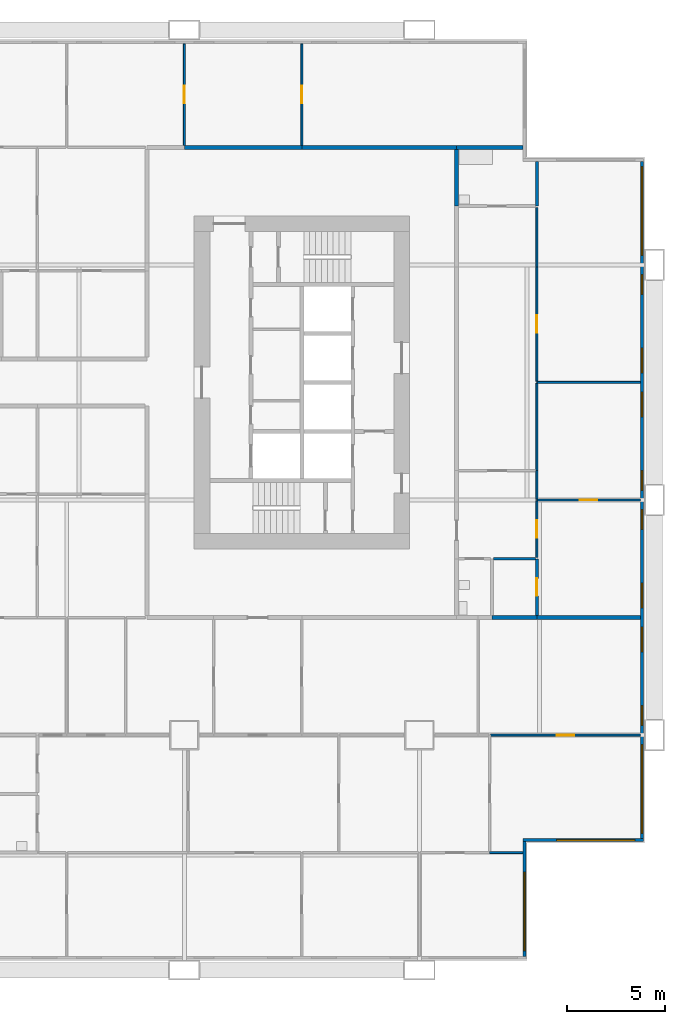
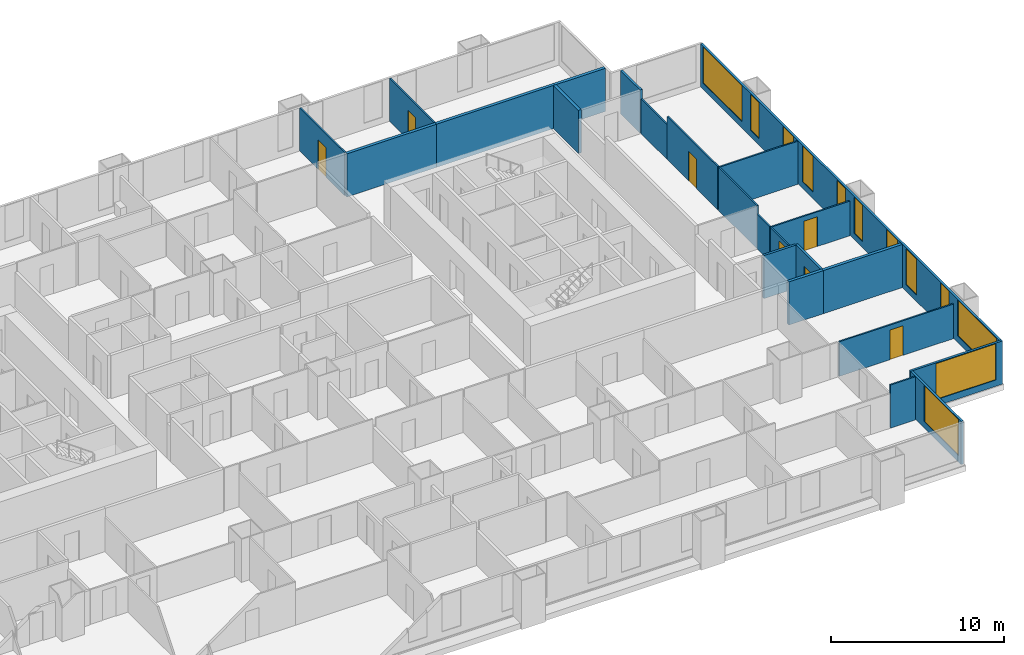
# One storey, part 11 of 14: 23 walls, 12 windows, 7 doors, 19 openings.
"""IFC4 building model written with IfcOpenShell, lengths in metres."""

import ifcopenshell
import ifcopenshell.guid

model = None  # the IFC model being written
_history = None  # IfcOwnerHistory: only IFC2X3 demands one
_inside = {}  # id of a spatial element -> (the spatial element, [elements in it])
_under = {}  # id of a project, library or spatial element -> (it, [spatial elements below it])
_declared = {}  # id of a project -> (the project, [libraries it declares])
_typed = {}  # id of a type object -> (the type object, [elements of that type])
_made_of = {}  # id of a material, layer set ... -> (it, [elements and type objects made of it])


def new_model(schema):
    """Start an empty IFC model of exactly this schema.

    Asked for "IFC4X3", IfcOpenShell would pick the latest addendum, in which some entities
    have other attributes; the version numbers below select the first issue.
    IFC2X3 requires an IfcOwnerHistory on every rooted entity: one is made here for all.
    """
    global model, _history
    if schema == "IFC4X3":
        model = ifcopenshell.file(schema_version=(4, 3, 0, 0))
    else:
        model = ifcopenshell.file(schema=schema)
    _inside.clear()
    _under.clear()
    _declared.clear()
    _typed.clear()
    _made_of.clear()
    _history = None
    if model.schema == "IFC2X3":
        org = make("IfcOrganization", Name="unknown")
        user = make(
            "IfcPersonAndOrganization",
            ThePerson=make("IfcPerson", FamilyName="unknown"),
            TheOrganization=org,
        )
        app = make(
            "IfcApplication",
            ApplicationDeveloper=org,
            Version="unknown",
            ApplicationFullName="unknown",
            ApplicationIdentifier="unknown",
        )
        _history = make(
            "IfcOwnerHistory",
            OwningUser=user,
            OwningApplication=app,
            ChangeAction="ADDED",
            CreationDate=0,
        )
    return model


def make(cls, **values):
    """One entity of the class cls with the attributes given. An attribute that is None is left unset."""
    return model.create_entity(
        cls, **{name: value for name, value in values.items() if value is not None}
    )


def rooted(cls, **values):
    """An entity with a GlobalId (a new one), such as an element, a storey or a relation."""
    return make(cls, GlobalId=ifcopenshell.guid.new(), OwnerHistory=_history, **values)


def si_unit(unit_type, name, prefix=None):
    """IfcSIUnit, for example si_unit("LENGTHUNIT", "METRE", prefix="MILLI")."""
    return make("IfcSIUnit", UnitType=unit_type, Prefix=prefix, Name=name)


def assignment(units):
    """IfcUnitAssignment: the units of a project."""
    return None if units is None else make("IfcUnitAssignment", Units=units)


def point(xyz):
    """IfcCartesianPoint."""
    return None if xyz is None else make("IfcCartesianPoint", Coordinates=xyz)


def direction(xyz):
    """IfcDirection."""
    return None if xyz is None else make("IfcDirection", DirectionRatios=xyz)


def frame(location, z_axis=None, x_axis=None):
    """IfcAxis2Placement3D, a coordinate frame: its origin and axes. An axis left out is left unset."""
    return make(
        "IfcAxis2Placement3D",
        Location=point(location),
        Axis=direction(z_axis),
        RefDirection=direction(x_axis),
    )


def frame_2d(location, x_axis=None):
    """IfcAxis2Placement2D, a coordinate frame in the plane: its origin and x axis."""
    return make(
        "IfcAxis2Placement2D", Location=point(location), RefDirection=direction(x_axis)
    )


def origin():
    """The frame at (0, 0, 0) with its axes left unset."""
    return frame((0.0, 0.0, 0.0))


def place(relative_to, where):
    """IfcLocalPlacement: puts the frame where relative to a parent placement (None: the world)."""
    return make(
        "IfcLocalPlacement", PlacementRelTo=relative_to, RelativePlacement=where
    )


def context(
    kind, dimensions, precision=None, world=None, true_north=None, identifier=None
):
    """IfcGeometricRepresentationContext, for example the 3D "Model" context."""
    return make(
        "IfcGeometricRepresentationContext",
        ContextIdentifier=identifier,
        ContextType=kind,
        CoordinateSpaceDimension=dimensions,
        Precision=precision,
        WorldCoordinateSystem=world,
        TrueNorth=true_north,
    )


def subcontext(parent, identifier, kind, view, scale=None):
    """IfcGeometricRepresentationSubContext, for example "Body" below "Model"."""
    return make(
        "IfcGeometricRepresentationSubContext",
        ContextIdentifier=identifier,
        ContextType=kind,
        ParentContext=parent,
        TargetScale=scale,
        TargetView=view,
    )


def project(units=None, contexts=None):
    """IfcProject with its units and contexts."""
    return rooted(
        "IfcProject",
        Name="project",
        RepresentationContexts=contexts,
        UnitsInContext=assignment(units),
    )


def spatial(cls, under=None, at=None, **own):
    """A site, building, storey or space (cls), placed at a placement, below another one or the project."""
    s = rooted(cls, ObjectPlacement=at, **own)
    if under is not None:
        _under.setdefault(under.id(), (under, []))[1].append(s)
    return s


def profile(cls, at=None, kind="AREA", **sizes):
    """A parametric profile (cls). Its sizes go by their IFC names, for example OverallWidth=200.0."""
    return make(cls, ProfileType=kind, Position=at, **sizes)


def rectangle(**sizes):
    """IfcRectangleProfileDef."""
    return profile("IfcRectangleProfileDef", **sizes)


def extrude(swept, where, along, depth):
    """IfcExtrudedAreaSolid: the profile swept, set in the frame where, extruded along a direction by depth."""
    return make(
        "IfcExtrudedAreaSolid",
        SweptArea=swept,
        Position=where,
        ExtrudedDirection=direction(along),
        Depth=depth,
    )


def shape(context_of_items, identifier, shape_type, items):
    """IfcShapeRepresentation: the items that make up one representation, for example the "Body"."""
    return make(
        "IfcShapeRepresentation",
        ContextOfItems=context_of_items,
        RepresentationIdentifier=identifier,
        RepresentationType=shape_type,
        Items=items,
    )


def material(Name=None, Category=None):
    """IfcMaterial."""
    return make("IfcMaterial", Name=Name, Category=Category)


def layer(
    of_material, thickness, ventilated=None, Name=None, Category=None, Priority=None
):
    """IfcMaterialLayer: one layer of a wall or slab, of a material (None: an air gap)."""
    return make(
        "IfcMaterialLayer",
        Material=of_material,
        LayerThickness=thickness,
        IsVentilated=ventilated,
        Name=Name,
        Category=Category,
        Priority=Priority,
    )


def layer_set(layers, Name=None):
    """IfcMaterialLayerSet."""
    return make("IfcMaterialLayerSet", MaterialLayers=layers, LayerSetName=Name)


def made_of(thing, what):
    """Note that an element or type object is made of a material, layer set ...; save() writes the relation."""
    if what is not None:
        _made_of.setdefault(what.id(), (what, []))[1].append(thing)
    return thing


def type_object(cls, material=None, **own):
    """A type object (cls), such as IfcWallType, which elements share."""
    return made_of(rooted(cls, **own), material)


def element(
    cls,
    number,
    at=None,
    inside=None,
    cuts=None,
    type_object=None,
    material=None,
    context=None,
    identifier="Body",
    shape_type=None,
    held_by="IfcProductDefinitionShape",
    body=None,
    shapes=None,
    **own,
):
    """One element of the class cls, such as IfcWall. Its Tag is "e" and its number.

    at: its placement. inside: the storey or other place that contains it. cuts: it is an
    opening in that element (IfcRelVoidsElement). A single representation is given by context,
    identifier, shape_type and body (its items); several are given by shapes. held_by: the class
    of the entity that holds the representations. save() writes the other relations.
    """
    e = rooted(cls, Tag="e%d" % number, ObjectPlacement=at, **own)
    if body is not None:
        shapes = [shape(context, identifier, shape_type, body)]
    if shapes is not None:
        e.Representation = make(held_by, Representations=shapes)
    if inside is not None:
        _inside.setdefault(inside.id(), (inside, []))[1].append(e)
    if cuts is not None:
        rooted(
            "IfcRelVoidsElement", RelatingBuildingElement=cuts, RelatedOpeningElement=e
        )
    if type_object is not None:
        _typed.setdefault(type_object.id(), (type_object, []))[1].append(e)
    return made_of(e, material)


def fill(opening, filler):
    """IfcRelFillsElement: the door or window that sits in an opening."""
    return rooted(
        "IfcRelFillsElement",
        RelatingOpeningElement=opening,
        RelatedBuildingElement=filler,
    )


def aggregate(whole, parts):
    """IfcRelAggregates: a whole, such as a stair, and the parts it consists of."""
    return rooted("IfcRelAggregates", RelatingObject=whole, RelatedObjects=parts)


def save(model, path):
    """Write the relations noted so far, then the file.

    IfcRelAggregates (storeys below a building ...), IfcRelContainedInSpatialStructure (elements
    in a storey), IfcRelDefinesByType, IfcRelAssociatesMaterial and IfcRelDeclares: one each for
    every whole, place, type object, material and project.
    """
    for whole, parts in _under.values():
        aggregate(whole, parts)
    for where, things in _inside.values():
        rooted(
            "IfcRelContainedInSpatialStructure",
            RelatedElements=things,
            RelatingStructure=where,
        )
    for kind, things in _typed.values():
        rooted("IfcRelDefinesByType", RelatedObjects=things, RelatingType=kind)
    for what, things in _made_of.values():
        rooted("IfcRelAssociatesMaterial", RelatedObjects=things, RelatingMaterial=what)
    for by, libraries in _declared.values():
        rooted("IfcRelDeclares", RelatingContext=by, RelatedDefinitions=libraries)
    model.write(path)


model = new_model("IFC4")

# Units and contexts
model_context = context("Model", 3, precision=1e-05, world=origin(), true_north=direction((0.0, 1.0)))
body_context = subcontext(model_context, "Body", "Model", "MODEL_VIEW")
ifc_project = project(units=[si_unit("LENGTHUNIT", "METRE"), si_unit("AREAUNIT", "SQUARE_METRE"), si_unit("VOLUMEUNIT", "CUBIC_METRE"), si_unit("PLANEANGLEUNIT", "RADIAN"), si_unit("MASSUNIT", "GRAM", prefix="KILO")], contexts=[model_context])

# Site, building, storey
site_placement = place(None, origin())
site = spatial("IfcSite", under=ifc_project, at=site_placement, CompositionType="ELEMENT")
building_placement = place(site_placement, origin())
building = spatial("IfcBuilding", under=site, at=building_placement, Name="Kitamizu Gate Tower and Museum", CompositionType="ELEMENT")
storey_placement = place(building_placement, frame((0.0, 0.0, 64.5)))
storey = spatial("IfcBuildingStorey", under=building, at=storey_placement, Name="L15", CompositionType="ELEMENT", Elevation=64.5)

# Wall
ifc_material_1 = material(Name="Gypsum board on galvanised stud")
ifc_layer_1 = layer(ifc_material_1, 0.10009765625)
ifc_layer_set_1 = layer_set([ifc_layer_1], Name="Gypsum board on galvanised stud")
wall_type_1 = type_object("IfcWallType", Name="Partition 100 NOT RATED", PredefinedType="PARTITIONING", material=ifc_layer_set_1)
wall_1_placement = place(storey_placement, frame((65.280029296875, 6.0, 0.0), z_axis=(0.0, 0.0, 1.0), x_axis=(-1.0, 0.0, 0.0)))
element("IfcWall", 1, at=wall_1_placement, inside=storey, type_object=wall_type_1, Name="Partition L15-081", PredefinedType="PARTITIONING", context=body_context, shape_type="SweptSolid", body=[
    extrude(rectangle(XDim=1.695068359375, YDim=0.10009765625, at=frame_2d((0.84765625, 0.0))), origin(), (0.0, 0.0, 1.0), 3.050048828125),
])

# Wall, opening, door
wall_2_placement = place(storey_placement, frame((71.280029296875, 12.0, 0.0), z_axis=(0.0, 0.0, 1.0), x_axis=(-1.0, 0.0, 0.0)))
wall_2 = element("IfcWall", 2, at=wall_2_placement, inside=storey, type_object=wall_type_1, Name="Partition L15-098", PredefinedType="PARTITIONING", context=body_context, shape_type="SweptSolid", body=[
    extrude(rectangle(XDim=7.64501953125, YDim=0.10009765625, at=frame_2d((3.822509765625, 0.0))), origin(), (0.0, 0.0, 1.0), 2.449951171875),
])
opening_1_placement = place(wall_2_placement, frame((3.37255859375, 0.0, 0.0)))
opening_1 = element("IfcOpeningElement", 3, at=opening_1_placement, cuts=wall_2, Name="Opening L15-040", PredefinedType="OPENING", context=body_context, shape_type="SweptSolid", body=[
    extrude(rectangle(XDim=0.89990234375, YDim=2.10009765625, at=frame_2d((0.449951171875, 1.050048828125))), frame((0.0, 0.06005859375, 0.0), z_axis=(0.0, -1.0, 0.0), x_axis=(1.0, 0.0, 0.0)), (0.0, 0.0, 1.0), 0.1201171875),
])
ifc_material_2 = material(Name="Timber door set", Category="wood")
door_type_1 = type_object("IfcDoorType", Name="Room door 900", OperationType="NOTDEFINED", PredefinedType="DOOR", material=ifc_material_2)
door_1_placement = place(opening_1_placement, origin())
door_1 = element("IfcDoor", 4, at=door_1_placement, inside=storey, type_object=door_type_1, Name="Door L15-040", OperationType="SINGLE_SWING_LEFT", OverallHeight=2.10009765625, OverallWidth=0.89990234375, PredefinedType="DOOR", context=body_context, shape_type="SweptSolid", body=[
    extrude(rectangle(XDim=0.89990234375, YDim=2.10009765625, at=frame_2d((0.449951171875, 1.050048828125))), frame((0.0, 0.02490234375, 0.0), z_axis=(0.0, -1.0, 0.0), x_axis=(1.0, 0.0, 0.0)), (0.0, 0.0, 1.0), 0.050048828125),
])
fill(opening_1, door_1)

wall_3_placement = place(storey_placement, frame((48.0, 42.10009765625, 0.0), z_axis=(0.0, 0.0, 1.0), x_axis=(0.0, 1.0, 0.0)))
wall_3 = element("IfcWall", 5, at=wall_3_placement, inside=storey, type_object=wall_type_1, Name="Partition L15-169", PredefinedType="PARTITIONING", context=body_context, shape_type="SweptSolid", body=[
    extrude(rectangle(XDim=5.179931640625, YDim=0.10009765625, at=frame_2d((2.58984375, 0.0))), origin(), (0.0, 0.0, 1.0), 3.050048828125),
])
opening_2_placement = place(wall_3_placement, frame((2.139892578125, 0.0, 0.0)))
opening_2 = element("IfcOpeningElement", 6, at=opening_2_placement, cuts=wall_3, Name="Opening L15-073", PredefinedType="OPENING", context=body_context, shape_type="SweptSolid", body=[
    extrude(rectangle(XDim=0.89990234375, YDim=2.10009765625, at=frame_2d((0.449951171875, 1.050048828125))), frame((0.0, 0.06005859375, 0.0), z_axis=(0.0, -1.0, 0.0), x_axis=(1.0, 0.0, 0.0)), (0.0, 0.0, 1.0), 0.1201171875),
])
door_2_placement = place(opening_2_placement, origin())
door_2 = element("IfcDoor", 7, at=door_2_placement, inside=storey, type_object=door_type_1, Name="Door L15-073", OperationType="SINGLE_SWING_RIGHT", OverallHeight=2.10009765625, OverallWidth=0.89990234375, PredefinedType="DOOR", context=body_context, shape_type="SweptSolid", body=[
    extrude(rectangle(XDim=0.89990234375, YDim=2.10009765625, at=frame_2d((0.449951171875, 1.050048828125))), frame((0.0, 0.02490234375, 0.0), z_axis=(0.0, -1.0, 0.0), x_axis=(1.0, 0.0, 0.0)), (0.0, 0.0, 1.0), 0.050048828125),
])
fill(opening_2, door_2)

wall_4_placement = place(storey_placement, frame((54.0, 42.10009765625, 0.0), z_axis=(0.0, 0.0, 1.0), x_axis=(0.0, 1.0, 0.0)))
wall_4 = element("IfcWall", 8, at=wall_4_placement, inside=storey, type_object=wall_type_1, Name="Partition L15-172", PredefinedType="PARTITIONING", context=body_context, shape_type="SweptSolid", body=[
    extrude(rectangle(XDim=5.179931640625, YDim=0.10009765625, at=frame_2d((2.58984375, 0.0))), origin(), (0.0, 0.0, 1.0), 3.050048828125),
])
opening_3_placement = place(wall_4_placement, frame((2.139892578125, 0.0, 0.0)))
opening_3 = element("IfcOpeningElement", 9, at=opening_3_placement, cuts=wall_4, Name="Opening L15-074", PredefinedType="OPENING", context=body_context, shape_type="SweptSolid", body=[
    extrude(rectangle(XDim=0.89990234375, YDim=2.10009765625, at=frame_2d((0.449951171875, 1.050048828125))), frame((0.0, 0.06005859375, 0.0), z_axis=(0.0, -1.0, 0.0), x_axis=(1.0, 0.0, 0.0)), (0.0, 0.0, 1.0), 0.1201171875),
])
door_3_placement = place(opening_3_placement, origin())
door_3 = element("IfcDoor", 10, at=door_3_placement, inside=storey, type_object=door_type_1, Name="Door L15-074", OperationType="SINGLE_SWING_LEFT", OverallHeight=2.10009765625, OverallWidth=0.89990234375, PredefinedType="DOOR", context=body_context, shape_type="SweptSolid", body=[
    extrude(rectangle(XDim=0.89990234375, YDim=2.10009765625, at=frame_2d((0.449951171875, 1.050048828125))), frame((0.0, 0.02490234375, 0.0), z_axis=(0.0, -1.0, 0.0), x_axis=(1.0, 0.0, 0.0)), (0.0, 0.0, 1.0), 0.050048828125),
])
fill(opening_3, door_3)

wall_5_placement = place(storey_placement, frame((71.280029296875, 24.0, 0.0), z_axis=(0.0, 0.0, 1.0), x_axis=(-1.0, 0.0, 0.0)))
wall_5 = element("IfcWall", 11, at=wall_5_placement, inside=storey, type_object=wall_type_1, Name="Partition L15-207", PredefinedType="PARTITIONING", context=body_context, shape_type="SweptSolid", body=[
    extrude(rectangle(XDim=5.280029296875, YDim=0.10009765625, at=frame_2d((2.64013671875, 0.0))), origin(), (0.0, 0.0, 1.0), 2.449951171875),
])
opening_4_placement = place(wall_5_placement, frame((2.18994140625, 0.0, 0.0)))
opening_4 = element("IfcOpeningElement", 12, at=opening_4_placement, cuts=wall_5, Name="Opening L15-081", PredefinedType="OPENING", context=body_context, shape_type="SweptSolid", body=[
    extrude(rectangle(XDim=0.89990234375, YDim=2.10009765625, at=frame_2d((0.449951171875, 1.050048828125))), frame((0.0, 0.06005859375, 0.0), z_axis=(0.0, -1.0, 0.0), x_axis=(1.0, 0.0, 0.0)), (0.0, 0.0, 1.0), 0.1201171875),
])
door_4_placement = place(opening_4_placement, origin())
door_4 = element("IfcDoor", 13, at=door_4_placement, inside=storey, type_object=door_type_1, Name="Door L15-081", OperationType="SINGLE_SWING_RIGHT", OverallHeight=2.10009765625, OverallWidth=0.89990234375, PredefinedType="DOOR", context=body_context, shape_type="SweptSolid", body=[
    extrude(rectangle(XDim=0.89990234375, YDim=2.10009765625, at=frame_2d((0.449951171875, 1.050048828125))), frame((0.0, 0.02490234375, 0.0), z_axis=(0.0, -1.0, 0.0), x_axis=(1.0, 0.0, 0.0)), (0.0, 0.0, 1.0), 0.050048828125),
])
fill(opening_4, door_4)

wall_6_placement = place(storey_placement, frame((66.0, 23.949951171875, 0.0), z_axis=(0.0, 0.0, 1.0), x_axis=(0.0, -1.0, 0.0)))
wall_6 = element("IfcWall", 14, at=wall_6_placement, inside=storey, type_object=wall_type_1, Name="Partition L15-209", PredefinedType="PARTITIONING", context=body_context, shape_type="SweptSolid", body=[
    extrude(rectangle(XDim=2.875, YDim=0.10009765625, at=frame_2d((1.4375, 0.0))), origin(), (0.0, 0.0, 1.0), 2.449951171875),
])
opening_5_placement = place(wall_6_placement, frame((0.987548828125, 0.0, 0.0)))
opening_5 = element("IfcOpeningElement", 15, at=opening_5_placement, cuts=wall_6, Name="Opening L15-078", PredefinedType="OPENING", context=body_context, shape_type="SweptSolid", body=[
    extrude(rectangle(XDim=0.89990234375, YDim=2.10009765625, at=frame_2d((0.449951171875, 1.050048828125))), frame((0.0, 0.06005859375, 0.0), z_axis=(0.0, -1.0, 0.0), x_axis=(1.0, 0.0, 0.0)), (0.0, 0.0, 1.0), 0.1201171875),
])
door_5_placement = place(opening_5_placement, origin())
door_5 = element("IfcDoor", 16, at=door_5_placement, inside=storey, type_object=door_type_1, Name="Door L15-078", OperationType="SINGLE_SWING_RIGHT", OverallHeight=2.10009765625, OverallWidth=0.89990234375, PredefinedType="DOOR", context=body_context, shape_type="SweptSolid", body=[
    extrude(rectangle(XDim=0.89990234375, YDim=2.10009765625, at=frame_2d((0.449951171875, 1.050048828125))), frame((0.0, 0.02490234375, 0.0), z_axis=(0.0, -1.0, 0.0), x_axis=(1.0, 0.0, 0.0)), (0.0, 0.0, 1.0), 0.050048828125),
])
fill(opening_5, door_5)

# Walls
wall_7_placement = place(storey_placement, frame((71.280029296875, 30.0, 0.0), z_axis=(0.0, 0.0, 1.0), x_axis=(-1.0, 0.0, 0.0)))
element("IfcWall", 17, at=wall_7_placement, inside=storey, type_object=wall_type_1, Name="Partition L15-210", PredefinedType="PARTITIONING", context=body_context, shape_type="SweptSolid", body=[
    extrude(rectangle(XDim=5.280029296875, YDim=0.10009765625, at=frame_2d((2.64013671875, 0.0))), origin(), (0.0, 0.0, 1.0), 3.050048828125),
])
wall_8_placement = place(storey_placement, frame((66.0, 25.5, 0.0), z_axis=(0.0, 0.0, 1.0), x_axis=(0.0, -1.0, 0.0)))
element("IfcWall", 18, at=wall_8_placement, inside=storey, type_object=wall_type_1, Name="Partition L15-211", PredefinedType="PARTITIONING", context=body_context, shape_type="SweptSolid", body=[
    extrude(rectangle(XDim=1.449951171875, YDim=0.10009765625, at=frame_2d((0.72509765625, 0.0))), origin(), (0.0, 0.0, 1.0), 2.449951171875),
])
wall_9_placement = place(storey_placement, frame((66.0, 29.949951171875, 0.0), z_axis=(0.0, 0.0, 1.0), x_axis=(0.0, -1.0, 0.0)))
element("IfcWall", 19, at=wall_9_placement, inside=storey, type_object=wall_type_1, Name="Partition L15-212", PredefinedType="PARTITIONING", context=body_context, shape_type="SweptSolid", body=[
    extrude(rectangle(XDim=4.449951171875, YDim=0.10009765625, at=frame_2d((2.22509765625, 0.0))), origin(), (0.0, 0.0, 1.0), 3.050048828125),
])
wall_10_placement = place(storey_placement, frame((66.0, 38.925048828125, 0.0), z_axis=(0.0, 0.0, 1.0), x_axis=(0.0, -1.0, 0.0)))
element("IfcWall", 20, at=wall_10_placement, inside=storey, type_object=wall_type_1, Name="Partition L15-213", PredefinedType="PARTITIONING", context=body_context, shape_type="SweptSolid", body=[
    extrude(rectangle(XDim=3.025146484375, YDim=0.10009765625, at=frame_2d((1.5126953125, 0.0))), origin(), (0.0, 0.0, 1.0), 2.449951171875),
])

# Wall, opening, door
wall_11_placement = place(storey_placement, frame((66.0, 35.89990234375, 0.0), z_axis=(0.0, 0.0, 1.0), x_axis=(0.0, -1.0, 0.0)))
wall_11 = element("IfcWall", 21, at=wall_11_placement, inside=storey, type_object=wall_type_1, Name="Partition L15-214", PredefinedType="PARTITIONING", context=body_context, shape_type="SweptSolid", body=[
    extrude(rectangle(XDim=5.849853515625, YDim=0.10009765625, at=frame_2d((2.9248046875, 0.0))), origin(), (0.0, 0.0, 1.0), 3.050048828125),
])
opening_6_placement = place(wall_11_placement, frame((2.47509765625, 0.0, 0.0)))
opening_6 = element("IfcOpeningElement", 22, at=opening_6_placement, cuts=wall_11, Name="Opening L15-080", PredefinedType="OPENING", context=body_context, shape_type="SweptSolid", body=[
    extrude(rectangle(XDim=0.89990234375, YDim=2.10009765625, at=frame_2d((0.449951171875, 1.050048828125))), frame((0.0, 0.06005859375, 0.0), z_axis=(0.0, -1.0, 0.0), x_axis=(1.0, 0.0, 0.0)), (0.0, 0.0, 1.0), 0.1201171875),
])
door_6_placement = place(opening_6_placement, origin())
door_6 = element("IfcDoor", 23, at=door_6_placement, inside=storey, type_object=door_type_1, Name="Door L15-080", OperationType="SINGLE_SWING_LEFT", OverallHeight=2.10009765625, OverallWidth=0.89990234375, PredefinedType="DOOR", context=body_context, shape_type="SweptSolid", body=[
    extrude(rectangle(XDim=0.89990234375, YDim=2.10009765625, at=frame_2d((0.449951171875, 1.050048828125))), frame((0.0, 0.02490234375, 0.0), z_axis=(0.0, -1.0, 0.0), x_axis=(1.0, 0.0, 0.0)), (0.0, 0.0, 1.0), 0.050048828125),
])
fill(opening_6, door_6)

ifc_material_3 = material(Name="Gypsum board on galvanised stud")
ifc_layer_2 = layer(ifc_material_3, 0.14990234375)
ifc_layer_set_2 = layer_set([ifc_layer_2], Name="Gypsum board on galvanised stud")
wall_type_2 = type_object("IfcWallType", Name="Partition 150", PredefinedType="PARTITIONING", material=ifc_layer_set_2)
wall_12_placement = place(storey_placement, frame((66.0, 21.0, 0.0), z_axis=(0.0, 0.0, 1.0), x_axis=(0.0, -1.0, 0.0)))
wall_12 = element("IfcWall", 24, at=wall_12_placement, inside=storey, type_object=wall_type_2, Name="Partition L15-208", PredefinedType="PARTITIONING", context=body_context, shape_type="SweptSolid", body=[
    extrude(rectangle(XDim=2.89990234375, YDim=0.14990234375, at=frame_2d((1.449951171875, 0.0))), origin(), (0.0, 0.0, 1.0), 3.050048828125),
])
opening_7_placement = place(wall_12_placement, frame((1.0, 0.0, 0.0)))
opening_7 = element("IfcOpeningElement", 25, at=opening_7_placement, cuts=wall_12, Name="Opening L15-083", PredefinedType="OPENING", context=body_context, shape_type="SweptSolid", body=[
    extrude(rectangle(XDim=0.89990234375, YDim=2.10009765625, at=frame_2d((0.449951171875, 1.050048828125))), frame((0.0, 0.0849609375, 0.0), z_axis=(0.0, -1.0, 0.0), x_axis=(1.0, 0.0, 0.0)), (0.0, 0.0, 1.0), 0.169921875),
])
ifc_material_4 = material(Name="Timber door set", Category="wood")
door_type_2 = type_object("IfcDoorType", Name="Bathroom door 900", OperationType="NOTDEFINED", PredefinedType="DOOR", material=ifc_material_4)
door_7_placement = place(opening_7_placement, frame((0.89990234375, 0.0, 0.0), x_axis=(-1.0, 0.0, 0.0)))
door_7 = element("IfcDoor", 26, at=door_7_placement, inside=storey, type_object=door_type_2, Name="Bathroom door L15-083", OperationType="SINGLE_SWING_LEFT", OverallHeight=2.10009765625, OverallWidth=0.89990234375, PredefinedType="DOOR", context=body_context, shape_type="SweptSolid", body=[
    extrude(rectangle(XDim=0.89990234375, YDim=2.10009765625, at=frame_2d((0.449951171875, 1.050048828125))), frame((0.0, 0.02490234375, 0.0), z_axis=(0.0, -1.0, 0.0), x_axis=(1.0, 0.0, 0.0)), (0.0, 0.0, 1.0), 0.050048828125),
])
fill(opening_7, door_7)

# Walls
wall_13_placement = place(storey_placement, frame((66.0, 41.280029296875, 0.0), z_axis=(0.0, 0.0, 1.0), x_axis=(0.0, -1.0, 0.0)))
element("IfcWall", 27, at=wall_13_placement, inside=storey, type_object=wall_type_2, Name="Partition L15-215", PredefinedType="PARTITIONING", context=body_context, shape_type="SweptSolid", body=[
    extrude(rectangle(XDim=2.280029296875, YDim=0.14990234375, at=frame_2d((1.14013671875, 0.0))), origin(), (0.0, 0.0, 1.0), 3.050048828125),
])
wall_14_placement = place(storey_placement, frame((65.925048828125, 21.0, 0.0), z_axis=(0.0, 0.0, 1.0), x_axis=(-1.0, 0.0, 0.0)))
element("IfcWall", 28, at=wall_14_placement, inside=storey, type_object=wall_type_2, Name="Partition L15-219", PredefinedType="PARTITIONING", context=body_context, shape_type="SweptSolid", body=[
    extrude(rectangle(XDim=2.150146484375, YDim=0.14990234375, at=frame_2d((1.0751953125, 0.0))), origin(), (0.0, 0.0, 1.0), 3.050048828125),
])
ifc_material_5 = material(Name="Gypsum board on galvanised stud")
ifc_layer_3 = layer(ifc_material_5, 0.199951171875)
ifc_layer_set_3 = layer_set([ifc_layer_3], Name="Gypsum board on galvanised stud")
wall_type_3 = type_object("IfcWallType", Name="Partition 200", PredefinedType="PARTITIONING", material=ifc_layer_set_3)
wall_15_placement = place(storey_placement, frame((71.280029296875, 18.0, 0.0), z_axis=(0.0, 0.0, 1.0), x_axis=(-1.0, 0.0, 0.0)))
element("IfcWall", 29, at=wall_15_placement, inside=storey, type_object=wall_type_3, Name="Partition L15-112", PredefinedType="PARTITIONING", context=body_context, shape_type="SweptSolid", body=[
    extrude(rectangle(XDim=5.280029296875, YDim=0.199951171875, at=frame_2d((2.64013671875, 0.0))), origin(), (0.0, 0.0, 1.0), 3.050048828125),
])
wall_16_placement = place(storey_placement, frame((66.0, 18.0, 0.0), z_axis=(0.0, 0.0, 1.0), x_axis=(-1.0, 0.0, 0.0)))
element("IfcWall", 30, at=wall_16_placement, inside=storey, type_object=wall_type_3, Name="Partition L15-114", PredefinedType="PARTITIONING", context=body_context, shape_type="SweptSolid", body=[
    extrude(rectangle(XDim=2.300048828125, YDim=0.199951171875, at=frame_2d((1.14990234375, 0.0))), origin(), (0.0, 0.0, 1.0), 3.050048828125),
])
wall_17_placement = place(storey_placement, frame((48.0, 42.0, 0.0), z_axis=(0.0, 0.0, 1.0), x_axis=(1.0, 0.0, 0.0)))
element("IfcWall", 31, at=wall_17_placement, inside=storey, type_object=wall_type_3, Name="Partition L15-173", PredefinedType="PARTITIONING", context=body_context, shape_type="SweptSolid", body=[
    extrude(rectangle(XDim=6.0, YDim=0.199951171875, at=frame_2d((3.0, 0.0))), origin(), (0.0, 0.0, 1.0), 3.050048828125),
])
wall_18_placement = place(storey_placement, frame((61.89990234375, 42.0, 0.0), z_axis=(0.0, 0.0, 1.0), x_axis=(1.0, 0.0, 0.0)))
element("IfcWall", 32, at=wall_18_placement, inside=storey, type_object=wall_type_3, Name="Partition L15-174", PredefinedType="PARTITIONING", context=body_context, shape_type="SweptSolid", body=[
    extrude(rectangle(XDim=3.380126953125, YDim=0.199951171875, at=frame_2d((1.68994140625, 0.0))), origin(), (0.0, 0.0, 1.0), 3.050048828125),
])
wall_19_placement = place(storey_placement, frame((54.0, 42.0, 0.0), z_axis=(0.0, 0.0, 1.0), x_axis=(1.0, 0.0, 0.0)))
element("IfcWall", 33, at=wall_19_placement, inside=storey, type_object=wall_type_3, Name="Partition L15-175", PredefinedType="PARTITIONING", context=body_context, shape_type="SweptSolid", body=[
    extrude(rectangle(XDim=7.89990234375, YDim=0.199951171875, at=frame_2d((3.949951171875, 0.0))), origin(), (0.0, 0.0, 1.0), 3.050048828125),
])
wall_20_placement = place(storey_placement, frame((61.89990234375, 41.89990234375, 0.0), z_axis=(0.0, 0.0, 1.0), x_axis=(0.0, -1.0, 0.0)))
element("IfcWall", 34, at=wall_20_placement, inside=storey, type_object=wall_type_3, Name="Partition L15-226", PredefinedType="PARTITIONING", context=body_context, shape_type="SweptSolid", body=[
    extrude(rectangle(XDim=2.89990234375, YDim=0.199951171875, at=frame_2d((1.449951171875, 0.0))), origin(), (0.0, 0.0, 1.0), 3.050048828125),
])

# Wall, opening, window
ifc_material_6 = material(Name="Bronze anodised aluminium frame with insulated spandrel and tinted glass", Category="aluminium")
ifc_layer_4 = layer(ifc_material_6, 0.14990234375)
ifc_layer_set_4 = layer_set([ifc_layer_4], Name="Bronze anodised aluminium frame with insulated spandrel and tinted glass")
wall_type_4 = type_object("IfcWallType", Name="WINDOW WALL 150 BRONZE FRAME EI 30", PredefinedType="ELEMENTEDWALL", material=ifc_layer_set_4)
wall_21_placement = place(storey_placement, frame((65.364990234375, 0.7099609375, 0.0), z_axis=(0.0, 0.0, 1.0), x_axis=(0.0, 1.0, 0.0)))
wall_21 = element("IfcWall", 35, at=wall_21_placement, inside=storey, type_object=wall_type_4, Name="Window wall east L15", PredefinedType="ELEMENTEDWALL", context=body_context, shape_type="SweptSolid", body=[
    extrude(rectangle(XDim=5.85009765625, YDim=0.14990234375, at=frame_2d((2.925048828125, 0.0))), origin(), (0.0, 0.0, 1.0), 3.050048828125),
])
opening_8_placement = place(wall_21_placement, frame((0.2900390625, 0.0, 0.449951171875)))
opening_8 = element("IfcOpeningElement", 36, at=opening_8_placement, cuts=wall_21, Name="Opening W16", PredefinedType="OPENING", context=body_context, shape_type="SweptSolid", body=[
    extrude(rectangle(XDim=4.0, YDim=2.550048828125, at=frame_2d((2.0, 1.27490234375))), frame((0.0, 0.0849609375, 0.0), z_axis=(0.0, -1.0, 0.0), x_axis=(1.0, 0.0, 0.0)), (0.0, 0.0, 1.0), 0.169921875),
])
ifc_material_7 = material(Name="Bronze anodised aluminium frame, tinted triple glazing", Category="aluminium")
window_type_1 = type_object("IfcWindowType", Name="WINDOW 4000 x 2550 SILL 450", PartitioningType="SINGLE_PANEL", PredefinedType="WINDOW", material=ifc_material_7)
window_1_placement = place(opening_8_placement, origin())
window_1 = element("IfcWindow", 37, at=window_1_placement, inside=storey, type_object=window_type_1, Name="Window W16 L15", OverallHeight=2.550048828125, OverallWidth=4.0, PartitioningType="SINGLE_PANEL", PredefinedType="WINDOW", context=body_context, shape_type="SweptSolid", body=[
    extrude(rectangle(XDim=4.0, YDim=2.550048828125, at=frame_2d((2.0, 1.27490234375))), frame((0.0, 0.030029296875, 0.0), z_axis=(0.0, -1.0, 0.0), x_axis=(1.0, 0.0, 0.0)), (0.0, 0.0, 1.0), 0.06005859375),
])
fill(opening_8, window_1)

wall_22_placement = place(storey_placement, frame((65.2900390625, 6.635009765625, 0.0), z_axis=(0.0, 0.0, 1.0), x_axis=(1.0, 0.0, 0.0)))
wall_22 = element("IfcWall", 38, at=wall_22_placement, inside=storey, type_object=wall_type_4, Name="Window wall south L15", PredefinedType="ELEMENTEDWALL", context=body_context, shape_type="SweptSolid", body=[
    extrude(rectangle(XDim=6.14990234375, YDim=0.14990234375, at=frame_2d((3.074951171875, 0.0))), origin(), (0.0, 0.0, 1.0), 3.050048828125),
])
opening_9_placement = place(wall_22_placement, frame((1.7099609375, 0.0, 0.449951171875)))
opening_9 = element("IfcOpeningElement", 39, at=opening_9_placement, cuts=wall_22, Name="Opening W16", PredefinedType="OPENING", context=body_context, shape_type="SweptSolid", body=[
    extrude(rectangle(XDim=4.0, YDim=2.550048828125, at=frame_2d((2.0, 1.27490234375))), frame((0.0, 0.0849609375, 0.0), z_axis=(0.0, -1.0, 0.0), x_axis=(1.0, 0.0, 0.0)), (0.0, 0.0, 1.0), 0.169921875),
])
window_2_placement = place(opening_9_placement, origin())
window_2 = element("IfcWindow", 40, at=window_2_placement, inside=storey, type_object=window_type_1, Name="Window W16 L15", OverallHeight=2.550048828125, OverallWidth=4.0, PartitioningType="SINGLE_PANEL", PredefinedType="WINDOW", context=body_context, shape_type="SweptSolid", body=[
    extrude(rectangle(XDim=4.0, YDim=2.550048828125, at=frame_2d((2.0, 1.27490234375))), frame((0.0, 0.030029296875, 0.0), z_axis=(0.0, -1.0, 0.0), x_axis=(1.0, 0.0, 0.0)), (0.0, 0.0, 1.0), 0.06005859375),
])
fill(opening_9, window_2)

# Wall, openings, windows
wall_23_placement = place(storey_placement, frame((71.364990234375, 6.7099609375, 0.0), z_axis=(0.0, 0.0, 1.0), x_axis=(0.0, 1.0, 0.0)))
wall_23 = element("IfcWall", 41, at=wall_23_placement, inside=storey, type_object=wall_type_4, Name="Window wall east L15", PredefinedType="ELEMENTEDWALL", context=body_context, shape_type="SweptSolid", body=[
    extrude(rectangle(XDim=34.580078125, YDim=0.14990234375, at=frame_2d((17.2900390625, 0.0))), origin(), (0.0, 0.0, 1.0), 3.050048828125),
])
opening_10_placement = place(wall_23_placement, frame((0.2900390625, 0.0, 0.449951171875)))
opening_10 = element("IfcOpeningElement", 42, at=opening_10_placement, cuts=wall_23, Name="Opening W15", PredefinedType="OPENING", context=body_context, shape_type="SweptSolid", body=[
    extrude(rectangle(XDim=4.5, YDim=2.550048828125, at=frame_2d((2.25, 1.27490234375))), frame((0.0, 0.0849609375, 0.0), z_axis=(0.0, -1.0, 0.0), x_axis=(1.0, 0.0, 0.0)), (0.0, 0.0, 1.0), 0.169921875),
])
opening_11_placement = place(wall_23_placement, frame((5.7900390625, 0.0, 0.449951171875)))
opening_11 = element("IfcOpeningElement", 43, at=opening_11_placement, cuts=wall_23, Name="Opening W26", PredefinedType="OPENING", context=body_context, shape_type="SweptSolid", body=[
    extrude(rectangle(XDim=1.0, YDim=2.550048828125, at=frame_2d((0.5, 1.27490234375))), frame((0.0, 0.0849609375, 0.0), z_axis=(0.0, -1.0, 0.0), x_axis=(1.0, 0.0, 0.0)), (0.0, 0.0, 1.0), 0.169921875),
])
opening_12_placement = place(wall_23_placement, frame((9.5400390625, 0.0, 0.449951171875)))
opening_12 = element("IfcOpeningElement", 44, at=opening_12_placement, cuts=wall_23, Name="Opening W27", PredefinedType="OPENING", context=body_context, shape_type="SweptSolid", body=[
    extrude(rectangle(XDim=1.25, YDim=2.550048828125, at=frame_2d((0.625, 1.27490234375))), frame((0.0, 0.0849609375, 0.0), z_axis=(0.0, -1.0, 0.0), x_axis=(1.0, 0.0, 0.0)), (0.0, 0.0, 1.0), 0.169921875),
])
opening_13_placement = place(wall_23_placement, frame((11.7900390625, 0.0, 0.449951171875)))
opening_13 = element("IfcOpeningElement", 45, at=opening_13_placement, cuts=wall_23, Name="Opening W27", PredefinedType="OPENING", context=body_context, shape_type="SweptSolid", body=[
    extrude(rectangle(XDim=1.25, YDim=2.550048828125, at=frame_2d((0.625, 1.27490234375))), frame((0.0, 0.0849609375, 0.0), z_axis=(0.0, -1.0, 0.0), x_axis=(1.0, 0.0, 0.0)), (0.0, 0.0, 1.0), 0.169921875),
])
opening_14_placement = place(wall_23_placement, frame((15.7900390625, 0.0, 0.449951171875)))
opening_14 = element("IfcOpeningElement", 46, at=opening_14_placement, cuts=wall_23, Name="Opening W26", PredefinedType="OPENING", context=body_context, shape_type="SweptSolid", body=[
    extrude(rectangle(XDim=1.0, YDim=2.550048828125, at=frame_2d((0.5, 1.27490234375))), frame((0.0, 0.0849609375, 0.0), z_axis=(0.0, -1.0, 0.0), x_axis=(1.0, 0.0, 0.0)), (0.0, 0.0, 1.0), 0.169921875),
])
opening_15_placement = place(wall_23_placement, frame((17.7900390625, 0.0, 0.449951171875)))
opening_15 = element("IfcOpeningElement", 47, at=opening_15_placement, cuts=wall_23, Name="Opening W26", PredefinedType="OPENING", context=body_context, shape_type="SweptSolid", body=[
    extrude(rectangle(XDim=1.0, YDim=2.550048828125, at=frame_2d((0.5, 1.27490234375))), frame((0.0, 0.0849609375, 0.0), z_axis=(0.0, -1.0, 0.0), x_axis=(1.0, 0.0, 0.0)), (0.0, 0.0, 1.0), 0.169921875),
])
opening_16_placement = place(wall_23_placement, frame((21.5400390625, 0.0, 0.449951171875)))
opening_16 = element("IfcOpeningElement", 48, at=opening_16_placement, cuts=wall_23, Name="Opening W27", PredefinedType="OPENING", context=body_context, shape_type="SweptSolid", body=[
    extrude(rectangle(XDim=1.25, YDim=2.550048828125, at=frame_2d((0.625, 1.27490234375))), frame((0.0, 0.0849609375, 0.0), z_axis=(0.0, -1.0, 0.0), x_axis=(1.0, 0.0, 0.0)), (0.0, 0.0, 1.0), 0.169921875),
])
opening_17_placement = place(wall_23_placement, frame((23.7900390625, 0.0, 0.449951171875)))
opening_17 = element("IfcOpeningElement", 49, at=opening_17_placement, cuts=wall_23, Name="Opening W27", PredefinedType="OPENING", context=body_context, shape_type="SweptSolid", body=[
    extrude(rectangle(XDim=1.25, YDim=2.550048828125, at=frame_2d((0.625, 1.27490234375))), frame((0.0, 0.0849609375, 0.0), z_axis=(0.0, -1.0, 0.0), x_axis=(1.0, 0.0, 0.0)), (0.0, 0.0, 1.0), 0.169921875),
])
opening_18_placement = place(wall_23_placement, frame((27.7900390625, 0.0, 0.449951171875)))
opening_18 = element("IfcOpeningElement", 50, at=opening_18_placement, cuts=wall_23, Name="Opening W26", PredefinedType="OPENING", context=body_context, shape_type="SweptSolid", body=[
    extrude(rectangle(XDim=1.0, YDim=2.550048828125, at=frame_2d((0.5, 1.27490234375))), frame((0.0, 0.0849609375, 0.0), z_axis=(0.0, -1.0, 0.0), x_axis=(1.0, 0.0, 0.0)), (0.0, 0.0, 1.0), 0.169921875),
])
opening_19_placement = place(wall_23_placement, frame((29.7900390625, 0.0, 0.449951171875)))
opening_19 = element("IfcOpeningElement", 51, at=opening_19_placement, cuts=wall_23, Name="Opening W15", PredefinedType="OPENING", context=body_context, shape_type="SweptSolid", body=[
    extrude(rectangle(XDim=4.5, YDim=2.550048828125, at=frame_2d((2.25, 1.27490234375))), frame((0.0, 0.0849609375, 0.0), z_axis=(0.0, -1.0, 0.0), x_axis=(1.0, 0.0, 0.0)), (0.0, 0.0, 1.0), 0.169921875),
])
ifc_material_8 = material(Name="Bronze anodised aluminium frame, tinted triple glazing", Category="aluminium")
window_type_2 = type_object("IfcWindowType", Name="WINDOW 1000 x 2550 SILL 450", PartitioningType="SINGLE_PANEL", PredefinedType="WINDOW", material=ifc_material_8)
window_3_placement = place(opening_11_placement, origin())
window_3 = element("IfcWindow", 52, at=window_3_placement, inside=storey, type_object=window_type_2, Name="Window W26 L15", OverallHeight=2.550048828125, OverallWidth=1.0, PartitioningType="SINGLE_PANEL", PredefinedType="WINDOW", context=body_context, shape_type="SweptSolid", body=[
    extrude(rectangle(XDim=1.0, YDim=2.550048828125, at=frame_2d((0.5, 1.27490234375))), frame((0.0, 0.030029296875, 0.0), z_axis=(0.0, -1.0, 0.0), x_axis=(1.0, 0.0, 0.0)), (0.0, 0.0, 1.0), 0.06005859375),
])
fill(opening_11, window_3)
window_4_placement = place(opening_14_placement, origin())
window_4 = element("IfcWindow", 53, at=window_4_placement, inside=storey, type_object=window_type_2, Name="Window W26 L15", OverallHeight=2.550048828125, OverallWidth=1.0, PartitioningType="SINGLE_PANEL", PredefinedType="WINDOW", context=body_context, shape_type="SweptSolid", body=[
    extrude(rectangle(XDim=1.0, YDim=2.550048828125, at=frame_2d((0.5, 1.27490234375))), frame((0.0, 0.030029296875, 0.0), z_axis=(0.0, -1.0, 0.0), x_axis=(1.0, 0.0, 0.0)), (0.0, 0.0, 1.0), 0.06005859375),
])
fill(opening_14, window_4)
window_5_placement = place(opening_15_placement, origin())
window_5 = element("IfcWindow", 54, at=window_5_placement, inside=storey, type_object=window_type_2, Name="Window W26 L15", OverallHeight=2.550048828125, OverallWidth=1.0, PartitioningType="SINGLE_PANEL", PredefinedType="WINDOW", context=body_context, shape_type="SweptSolid", body=[
    extrude(rectangle(XDim=1.0, YDim=2.550048828125, at=frame_2d((0.5, 1.27490234375))), frame((0.0, 0.030029296875, 0.0), z_axis=(0.0, -1.0, 0.0), x_axis=(1.0, 0.0, 0.0)), (0.0, 0.0, 1.0), 0.06005859375),
])
fill(opening_15, window_5)
window_6_placement = place(opening_18_placement, origin())
window_6 = element("IfcWindow", 55, at=window_6_placement, inside=storey, type_object=window_type_2, Name="Window W26 L15", OverallHeight=2.550048828125, OverallWidth=1.0, PartitioningType="SINGLE_PANEL", PredefinedType="WINDOW", context=body_context, shape_type="SweptSolid", body=[
    extrude(rectangle(XDim=1.0, YDim=2.550048828125, at=frame_2d((0.5, 1.27490234375))), frame((0.0, 0.030029296875, 0.0), z_axis=(0.0, -1.0, 0.0), x_axis=(1.0, 0.0, 0.0)), (0.0, 0.0, 1.0), 0.06005859375),
])
fill(opening_18, window_6)
ifc_material_9 = material(Name="Bronze anodised aluminium frame, tinted triple glazing", Category="aluminium")
window_type_3 = type_object("IfcWindowType", Name="WINDOW 1250 x 2550 SILL 450", PartitioningType="SINGLE_PANEL", PredefinedType="WINDOW", material=ifc_material_9)
window_7_placement = place(opening_12_placement, origin())
window_7 = element("IfcWindow", 56, at=window_7_placement, inside=storey, type_object=window_type_3, Name="Window W27 L15", OverallHeight=2.550048828125, OverallWidth=1.25, PartitioningType="SINGLE_PANEL", PredefinedType="WINDOW", context=body_context, shape_type="SweptSolid", body=[
    extrude(rectangle(XDim=1.25, YDim=2.550048828125, at=frame_2d((0.625, 1.27490234375))), frame((0.0, 0.030029296875, 0.0), z_axis=(0.0, -1.0, 0.0), x_axis=(1.0, 0.0, 0.0)), (0.0, 0.0, 1.0), 0.06005859375),
])
fill(opening_12, window_7)
window_8_placement = place(opening_13_placement, origin())
window_8 = element("IfcWindow", 57, at=window_8_placement, inside=storey, type_object=window_type_3, Name="Window W27 L15", OverallHeight=2.550048828125, OverallWidth=1.25, PartitioningType="SINGLE_PANEL", PredefinedType="WINDOW", context=body_context, shape_type="SweptSolid", body=[
    extrude(rectangle(XDim=1.25, YDim=2.550048828125, at=frame_2d((0.625, 1.27490234375))), frame((0.0, 0.030029296875, 0.0), z_axis=(0.0, -1.0, 0.0), x_axis=(1.0, 0.0, 0.0)), (0.0, 0.0, 1.0), 0.06005859375),
])
fill(opening_13, window_8)
window_9_placement = place(opening_16_placement, origin())
window_9 = element("IfcWindow", 58, at=window_9_placement, inside=storey, type_object=window_type_3, Name="Window W27 L15", OverallHeight=2.550048828125, OverallWidth=1.25, PartitioningType="SINGLE_PANEL", PredefinedType="WINDOW", context=body_context, shape_type="SweptSolid", body=[
    extrude(rectangle(XDim=1.25, YDim=2.550048828125, at=frame_2d((0.625, 1.27490234375))), frame((0.0, 0.030029296875, 0.0), z_axis=(0.0, -1.0, 0.0), x_axis=(1.0, 0.0, 0.0)), (0.0, 0.0, 1.0), 0.06005859375),
])
fill(opening_16, window_9)
window_10_placement = place(opening_17_placement, origin())
window_10 = element("IfcWindow", 59, at=window_10_placement, inside=storey, type_object=window_type_3, Name="Window W27 L15", OverallHeight=2.550048828125, OverallWidth=1.25, PartitioningType="SINGLE_PANEL", PredefinedType="WINDOW", context=body_context, shape_type="SweptSolid", body=[
    extrude(rectangle(XDim=1.25, YDim=2.550048828125, at=frame_2d((0.625, 1.27490234375))), frame((0.0, 0.030029296875, 0.0), z_axis=(0.0, -1.0, 0.0), x_axis=(1.0, 0.0, 0.0)), (0.0, 0.0, 1.0), 0.06005859375),
])
fill(opening_17, window_10)
ifc_material_10 = material(Name="Bronze anodised aluminium frame, tinted triple glazing", Category="aluminium")
window_type_4 = type_object("IfcWindowType", Name="WINDOW 4500 x 2550 SILL 450", PartitioningType="SINGLE_PANEL", PredefinedType="WINDOW", material=ifc_material_10)
window_11_placement = place(opening_10_placement, origin())
window_11 = element("IfcWindow", 60, at=window_11_placement, inside=storey, type_object=window_type_4, Name="Window W15 L15", OverallHeight=2.550048828125, OverallWidth=4.5, PartitioningType="SINGLE_PANEL", PredefinedType="WINDOW", context=body_context, shape_type="SweptSolid", body=[
    extrude(rectangle(XDim=4.5, YDim=2.550048828125, at=frame_2d((2.25, 1.27490234375))), frame((0.0, 0.030029296875, 0.0), z_axis=(0.0, -1.0, 0.0), x_axis=(1.0, 0.0, 0.0)), (0.0, 0.0, 1.0), 0.06005859375),
])
fill(opening_10, window_11)
window_12_placement = place(opening_19_placement, origin())
window_12 = element("IfcWindow", 61, at=window_12_placement, inside=storey, type_object=window_type_4, Name="Window W15 L15", OverallHeight=2.550048828125, OverallWidth=4.5, PartitioningType="SINGLE_PANEL", PredefinedType="WINDOW", context=body_context, shape_type="SweptSolid", body=[
    extrude(rectangle(XDim=4.5, YDim=2.550048828125, at=frame_2d((2.25, 1.27490234375))), frame((0.0, 0.030029296875, 0.0), z_axis=(0.0, -1.0, 0.0), x_axis=(1.0, 0.0, 0.0)), (0.0, 0.0, 1.0), 0.06005859375),
])
fill(opening_19, window_12)

save(model, "model.ifc")
